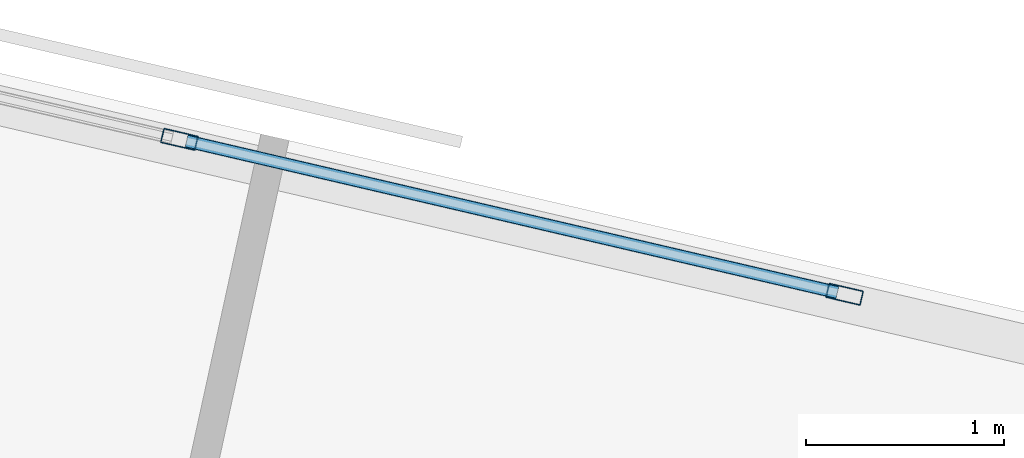
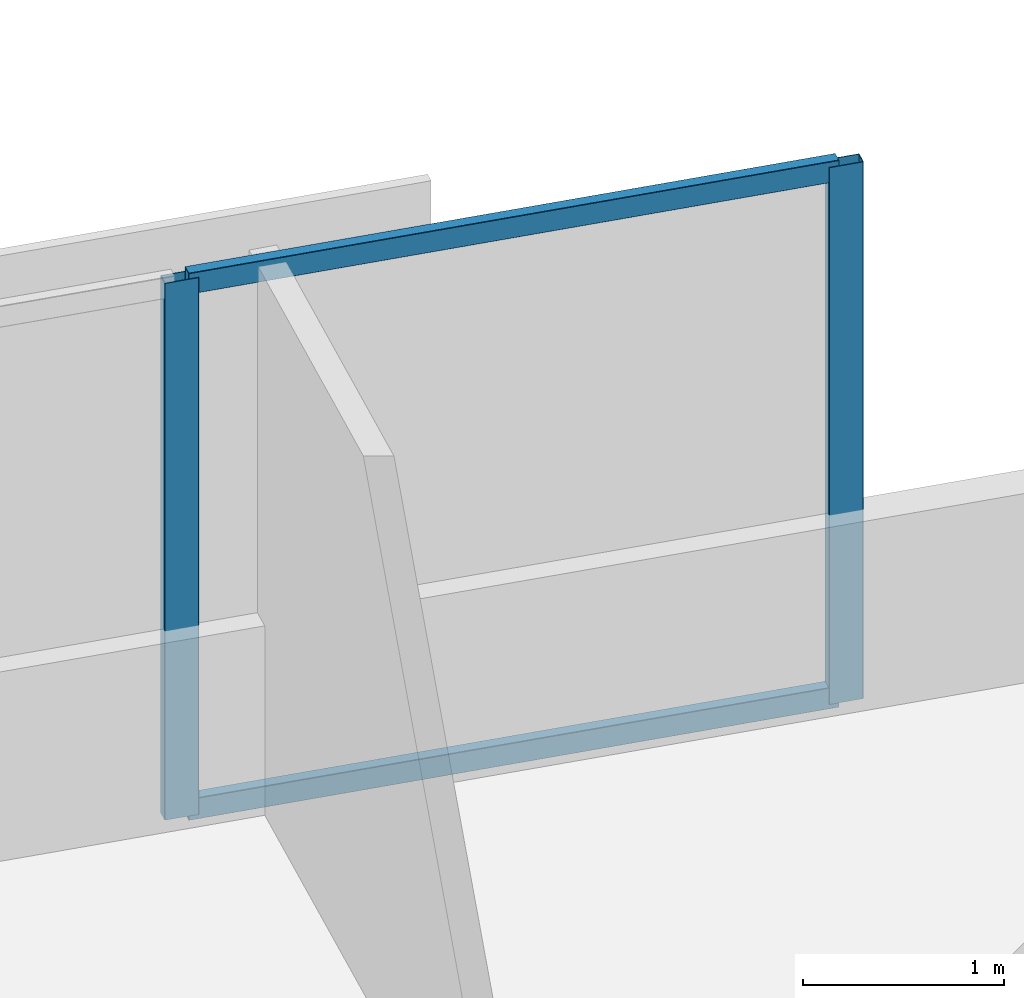
# One storey, part 2 of 15: 4 members, 1 element without a shape of its own.
"""IFC4 building model written with IfcOpenShell, lengths in metres."""

from ifc_helpers import new_model, si_unit, direction, frame, origin, origin_2d, place, context, subcontext, project, spatial, hollow_rectangle, extrude, material, material_profile, profile_set, type_object, element, aggregate, save


model = new_model("IFC4")

# Units and contexts
model_context = context("Model", 3, precision=1e-05, world=origin(), true_north=direction((0.0, 1.0)))
body_context = subcontext(model_context, "Body", "Model", "MODEL_VIEW")
ifc_project = project(units=[si_unit("LENGTHUNIT", "METRE"), si_unit("AREAUNIT", "SQUARE_METRE"), si_unit("VOLUMEUNIT", "CUBIC_METRE"), si_unit("PLANEANGLEUNIT", "RADIAN"), si_unit("MASSUNIT", "GRAM", prefix="KILO")], contexts=[model_context])

# Site, building, storey
site_placement = place(None, origin())
site = spatial("IfcSite", under=ifc_project, at=site_placement, CompositionType="ELEMENT")
building_placement = place(site_placement, origin())
building = spatial("IfcBuilding", under=site, at=building_placement, Name="Narakoshi Arena Tower", CompositionType="ELEMENT")
storey_placement = place(building_placement, frame((0.0, 0.0, 186.139892578125)))
storey = spatial("IfcBuildingStorey", under=building, at=storey_placement, Name="L50", CompositionType="ELEMENT", Elevation=186.139892578125)

# Curtain wall, members
ifc_material = material(Name="Anodised bronze aluminium 6063-T6", Category="aluminium")
curtain_wall_type = type_object("IfcCurtainWallType", Name="CW-HYP-MID", PredefinedType="NOTDEFINED", material=ifc_material)
curtain_wall_placement = place(storey_placement, origin())
curtain_wall = element("IfcCurtainWall", 1, at=curtain_wall_placement, inside=storey, type_object=curtain_wall_type, Name="L50 Folded Hypotenuse Curtain Wall 2-1", PredefinedType="NOTDEFINED")
ifc_material_profile_1 = material_profile(ifc_material, hollow_rectangle(XDim=0.074951171875, YDim=0.179931640625, WallThickness=0.00390625, OuterFilletRadius=0.0048828125, at=origin_2d()), Name="MUL180x75x4")
ifc_profile_set_1 = profile_set([ifc_material_profile_1], Name="Anodised bronze aluminium 6063-T6")
member_type_1 = type_object("IfcMemberType", Name="MEM-MUL-180", PredefinedType="MULLION", material=ifc_profile_set_1)
member_1_placement = place(storey_placement, frame((85.6767578125, 62.869384765625, 0.0), z_axis=(0.0, 0.0, 1.0), x_axis=(-0.226721182724, -0.973959704148, 0.0)))
member_1 = element("IfcMember", 2, at=member_1_placement, type_object=member_type_1, Name="CW-02 mullion 1", PredefinedType="MULLION", context=body_context, shape_type="SweptSolid", body=[
    extrude(hollow_rectangle(XDim=0.074951171875, YDim=0.179931640625, WallThickness=0.00390625, OuterFilletRadius=0.0048828125, at=origin_2d()), origin(), (0.0, 0.0, 1.0), 3.260009765625),
])
member_2_placement = place(storey_placement, frame((82.312255859375, 63.652587890625, 0.0), z_axis=(0.0, 0.0, 1.0), x_axis=(-0.226721182724, -0.973959704148, 0.0)))
member_2 = element("IfcMember", 3, at=member_2_placement, type_object=member_type_1, Name="CW-02 mullion 2", PredefinedType="MULLION", context=body_context, shape_type="SweptSolid", body=[
    extrude(hollow_rectangle(XDim=0.074951171875, YDim=0.179931640625, WallThickness=0.00390625, OuterFilletRadius=0.0048828125, at=origin_2d()), origin(), (0.0, 0.0, 1.0), 3.260009765625),
])
ifc_material_profile_2 = material_profile(ifc_material, hollow_rectangle(XDim=0.06494140625, YDim=0.1298828125, WallThickness=0.00390625, OuterFilletRadius=0.0048828125, at=origin_2d()), Name="TRN130x65x4")
ifc_profile_set_2 = profile_set([ifc_material_profile_2], Name="Anodised bronze aluminium 6063-T6")
member_type_2 = type_object("IfcMemberType", Name="MEM-TRN-130", PredefinedType="USERDEFINED", material=ifc_profile_set_2)
member_3_placement = place(storey_placement, frame((85.64013671875, 62.8779296875, 0.03271484375), z_axis=(-0.973946086847, 0.226779672622, 0.0), x_axis=(-0.226779672622, -0.973946086847, 0.0)))
member_3 = element("IfcMember", 4, at=member_3_placement, type_object=member_type_2, Name="CW-02 transom 1.1", ObjectType="TRANSOM", PredefinedType="USERDEFINED", context=body_context, shape_type="SweptSolid", body=[
    extrude(hollow_rectangle(XDim=0.06494140625, YDim=0.1298828125, WallThickness=0.00390625, OuterFilletRadius=0.0048828125, at=origin_2d()), origin(), (0.0, 0.0, 1.0), 3.37939453125),
])
member_4_placement = place(storey_placement, frame((85.64013671875, 62.8779296875, 3.2275390625), z_axis=(-0.973946086847, 0.226779672622, 0.0), x_axis=(-0.226779672622, -0.973946086847, 0.0)))
member_4 = element("IfcMember", 5, at=member_4_placement, type_object=member_type_2, Name="CW-02 transom 1.2", ObjectType="TRANSOM", PredefinedType="USERDEFINED", context=body_context, shape_type="SweptSolid", body=[
    extrude(hollow_rectangle(XDim=0.06494140625, YDim=0.1298828125, WallThickness=0.00390625, OuterFilletRadius=0.0048828125, at=origin_2d()), origin(), (0.0, 0.0, 1.0), 3.37939453125),
])
aggregate(curtain_wall, [member_1, member_2, member_3, member_4])

save(model, "model.ifc")
